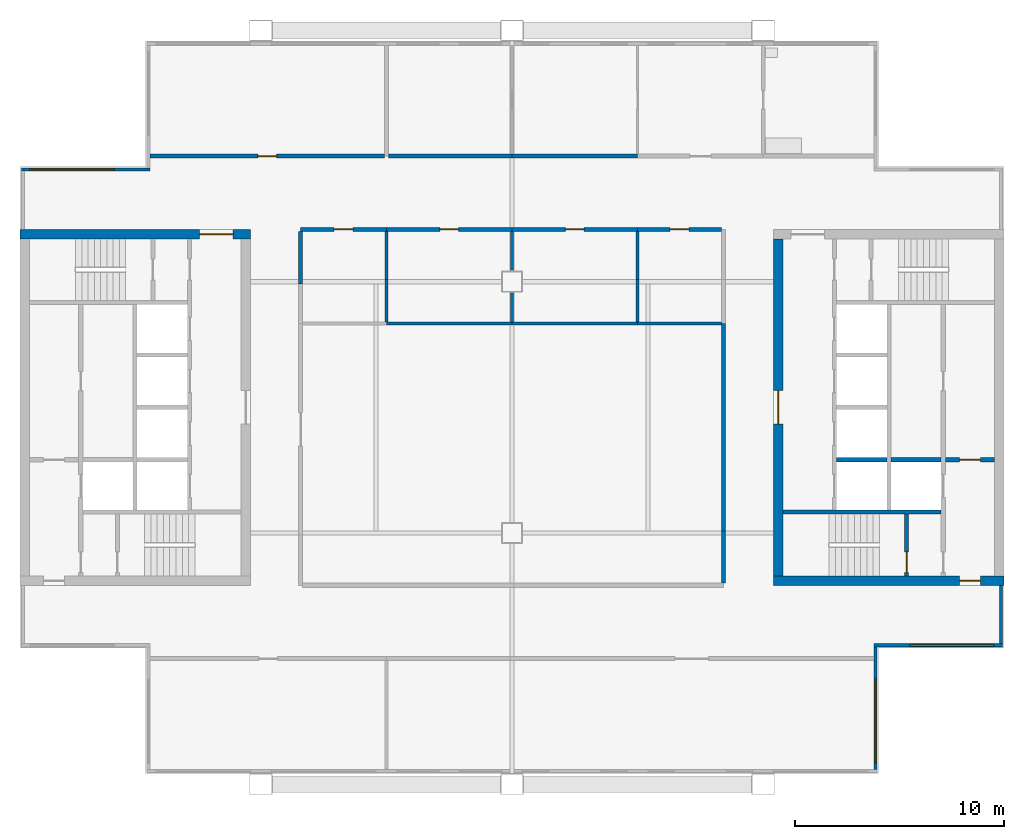
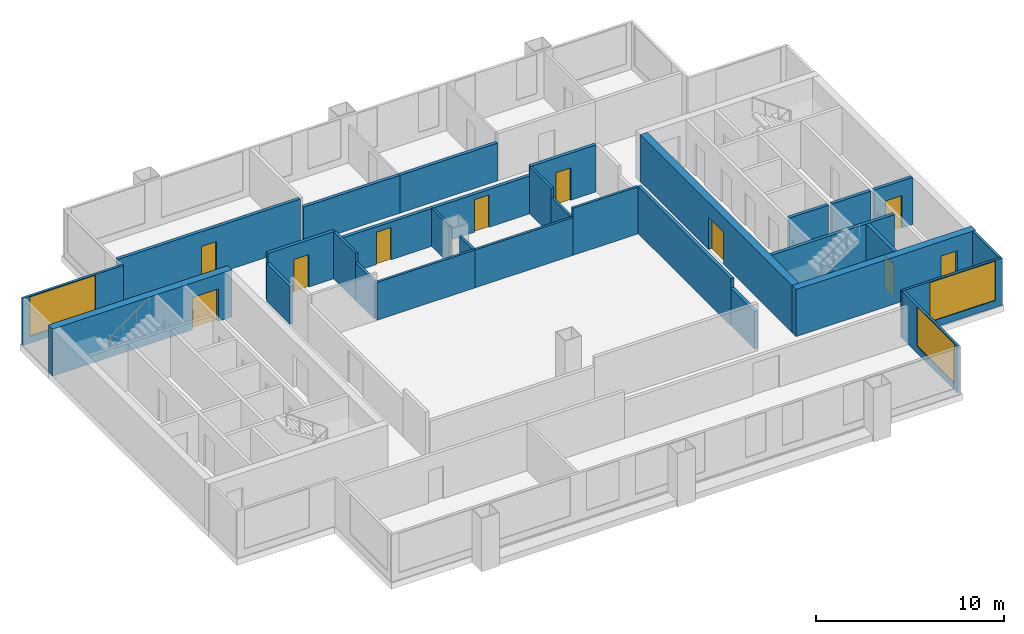
# One storey, part 3 of 7: 31 walls, 10 doors, 3 windows, 13 openings.
"""IFC4 building model written with IfcOpenShell, lengths in metres."""

from ifc_helpers import new_model, si_unit, direction, frame, frame_2d, origin, place, context, subcontext, project, spatial, rectangle, extrude, material, layer, layer_set, type_object, element, fill, save


model = new_model("IFC4")

# Units and contexts
model_context = context("Model", 3, precision=1e-05, world=origin(), true_north=direction((0.0, 1.0)))
body_context = subcontext(model_context, "Body", "Model", "MODEL_VIEW")
ifc_project = project(units=[si_unit("LENGTHUNIT", "METRE"), si_unit("AREAUNIT", "SQUARE_METRE"), si_unit("VOLUMEUNIT", "CUBIC_METRE"), si_unit("PLANEANGLEUNIT", "RADIAN"), si_unit("MASSUNIT", "GRAM", prefix="KILO")], contexts=[model_context])

# Site, building, storey
site_placement = place(None, origin())
site = spatial("IfcSite", under=ifc_project, at=site_placement, CompositionType="ELEMENT")
building_placement = place(site_placement, origin())
building = spatial("IfcBuilding", under=site, at=building_placement, Name="Kitamizu Gate Tower and Museum", CompositionType="ELEMENT")
storey_placement = place(building_placement, frame((0.0, 0.0, 242.10009765625)))
storey = spatial("IfcBuildingStorey", under=building, at=storey_placement, Name="L65", CompositionType="ELEMENT", Elevation=242.10009765625)

# Wall, opening, door
ifc_material_1 = material(Name="Concrete Fc42", Category="concrete")
ifc_layer_1 = layer(ifc_material_1, 0.449951171875)
ifc_layer_set_1 = layer_set([ifc_layer_1], Name="Concrete Fc42")
wall_type_1 = type_object("IfcWallType", Name="Core wall 450", PredefinedType="SHEAR", material=ifc_layer_set_1)
wall_1_placement = place(storey_placement, frame((12.5, 38.27490234375, 0.0), z_axis=(0.0, 0.0, 1.0), x_axis=(1.0, 0.0, 0.0)))
wall_1 = element("IfcWall", 1, at=wall_1_placement, inside=storey, type_object=wall_type_1, Name="Core wall WN", PredefinedType="SHEAR", context=body_context, shape_type="SweptSolid", body=[
    extrude(rectangle(XDim=11.0, YDim=0.449951171875, at=frame_2d((5.5, 0.0))), origin(), (0.0, 0.0, 1.0), 3.0498046875),
])
opening_1_placement = place(wall_1_placement, frame((8.574951171875, 0.0, 0.0)))
opening_1 = element("IfcOpeningElement", 2, at=opening_1_placement, cuts=wall_1, Name="Opening L65-019", PredefinedType="OPENING", context=body_context, shape_type="SweptSolid", body=[
    extrude(rectangle(XDim=1.60009765625, YDim=2.10009765625, at=frame_2d((0.800048828125, 1.050048828125))), frame((0.0, 0.23486328125, 0.0), z_axis=(0.0, -1.0, 0.0), x_axis=(1.0, 0.0, 0.0)), (0.0, 0.0, 1.0), 0.469970703125),
])
ifc_material_2 = material(Name="Timber door set", Category="wood")
door_type_1 = type_object("IfcDoorType", Name="Entrance door 1600", OperationType="DOUBLE_DOOR_SINGLE_SWING", PredefinedType="DOOR", material=ifc_material_2)
door_1_placement = place(opening_1_placement, origin())
door_1 = element("IfcDoor", 3, at=door_1_placement, inside=storey, type_object=door_type_1, Name="Lobby door L65-019", OperationType="DOUBLE_DOOR_SINGLE_SWING", OverallHeight=2.10009765625, OverallWidth=1.60009765625, PredefinedType="DOOR", context=body_context, shape_type="SweptSolid", body=[
    extrude(rectangle(XDim=1.60009765625, YDim=2.10009765625, at=frame_2d((0.800048828125, 1.050048828125))), frame((0.0, 0.02490234375, 0.0), z_axis=(0.0, -1.0, 0.0), x_axis=(1.0, 0.0, 0.0)), (0.0, 0.0, 1.0), 0.050048828125),
])
fill(opening_1, door_1)

wall_2_placement = place(storey_placement, frame((59.5, 21.72509765625, 0.0), z_axis=(0.0, 0.0, 1.0), x_axis=(-1.0, 0.0, 0.0)))
wall_2 = element("IfcWall", 4, at=wall_2_placement, inside=storey, type_object=wall_type_1, Name="Core wall ES", PredefinedType="SHEAR", context=body_context, shape_type="SweptSolid", body=[
    extrude(rectangle(XDim=11.0, YDim=0.449951171875, at=frame_2d((5.5, 0.0))), origin(), (0.0, 0.0, 1.0), 3.0498046875),
])
opening_2_placement = place(wall_2_placement, frame((1.125, 0.0, 0.0)))
opening_2 = element("IfcOpeningElement", 5, at=opening_2_placement, cuts=wall_2, Name="Opening L65-027", PredefinedType="OPENING", context=body_context, shape_type="SweptSolid", body=[
    extrude(rectangle(XDim=1.0, YDim=2.10009765625, at=frame_2d((0.5, 1.050048828125))), frame((0.0, 0.23486328125, 0.0), z_axis=(0.0, -1.0, 0.0), x_axis=(1.0, 0.0, 0.0)), (0.0, 0.0, 1.0), 0.469970703125),
])
ifc_material_3 = material(Name="Hollow metal door set")
door_type_2 = type_object("IfcDoorType", Name="Fire door 1000", OperationType="NOTDEFINED", PredefinedType="DOOR", material=ifc_material_3)
door_2_placement = place(opening_2_placement, frame((1.0, 0.0, 0.0), x_axis=(-1.0, 0.0, 0.0)))
door_2 = element("IfcDoor", 6, at=door_2_placement, inside=storey, type_object=door_type_2, Name="Fire-fighting lobby door L65-027", OperationType="SINGLE_SWING_LEFT", OverallHeight=2.10009765625, OverallWidth=1.0, PredefinedType="DOOR", context=body_context, shape_type="SweptSolid", body=[
    extrude(rectangle(XDim=1.0, YDim=2.10009765625, at=frame_2d((0.5, 1.050048828125))), frame((0.0, 0.02490234375, 0.0), z_axis=(0.0, -1.0, 0.0), x_axis=(1.0, 0.0, 0.0)), (0.0, 0.0, 1.0), 0.050048828125),
])
fill(opening_2, door_2)

wall_3_placement = place(storey_placement, frame((48.72509765625, 21.949951171875, 0.0), z_axis=(0.0, 0.0, 1.0), x_axis=(0.0, 1.0, 0.0)))
wall_3 = element("IfcWall", 7, at=wall_3_placement, inside=storey, type_object=wall_type_1, Name="Core wall EARC", PredefinedType="SHEAR", context=body_context, shape_type="SweptSolid", body=[
    extrude(rectangle(XDim=16.10009765625, YDim=0.449951171875, at=frame_2d((8.050048828125, 0.0))), origin(), (0.0, 0.0, 1.0), 3.0498046875),
])
opening_3_placement = place(wall_3_placement, frame((7.25, 0.0, 0.0)))
opening_3 = element("IfcOpeningElement", 8, at=opening_3_placement, cuts=wall_3, Name="Opening L65-029", PredefinedType="OPENING", context=body_context, shape_type="SweptSolid", body=[
    extrude(rectangle(XDim=1.60009765625, YDim=2.10009765625, at=frame_2d((0.800048828125, 1.050048828125))), frame((0.0, 0.23486328125, 0.0), z_axis=(0.0, -1.0, 0.0), x_axis=(1.0, 0.0, 0.0)), (0.0, 0.0, 1.0), 0.469970703125),
])
door_3_placement = place(opening_3_placement, origin())
door_3 = element("IfcDoor", 9, at=door_3_placement, inside=storey, type_object=door_type_1, Name="Lobby door L65-029", OperationType="DOUBLE_DOOR_SINGLE_SWING", OverallHeight=2.10009765625, OverallWidth=1.60009765625, PredefinedType="DOOR", context=body_context, shape_type="SweptSolid", body=[
    extrude(rectangle(XDim=1.60009765625, YDim=2.10009765625, at=frame_2d((0.800048828125, 1.050048828125))), frame((0.0, 0.02490234375, 0.0), z_axis=(0.0, -1.0, 0.0), x_axis=(1.0, 0.0, 0.0)), (0.0, 0.0, 1.0), 0.050048828125),
])
fill(opening_3, door_3)

# Walls
ifc_material_4 = material(Name="Gypsum board on galvanised stud")
ifc_layer_2 = layer(ifc_material_4, 0.14990234375)
ifc_layer_set_2 = layer_set([ifc_layer_2], Name="Gypsum board on galvanised stud")
wall_type_2 = type_object("IfcWallType", Name="Partition 150", PredefinedType="PARTITIONING", material=ifc_layer_set_2)
for number, where, z_axis, x_axis, name in (
    (10, (36.0, 34.0, 0.0), (0.0, 0.0, 1.0), (-1.0, 0.0, 0.0), "Partition L65-029"),
    (11, (42.0, 34.0, 0.0), (0.0, 0.0, 1.0), (-1.0, 0.0, 0.0), "Partition L65-030"),
):
    element("IfcWall", number, at=place(storey_placement, frame(where, z_axis=z_axis, x_axis=x_axis)), inside=storey, type_object=wall_type_2, Name=name, PredefinedType="PARTITIONING", context=body_context, shape_type="SweptSolid", body=[
        extrude(rectangle(XDim=6.0, YDim=0.14990234375, at=frame_2d((3.0, 0.0))), origin(), (0.0, 0.0, 1.0), 2.449951171875),
    ])
wall_4_placement = place(storey_placement, frame((46.0, 34.0, 0.0), z_axis=(0.0, 0.0, 1.0), x_axis=(-1.0, 0.0, 0.0)))
element("IfcWall", 12, at=wall_4_placement, inside=storey, type_object=wall_type_2, Name="Partition L65-031", PredefinedType="PARTITIONING", context=body_context, shape_type="SweptSolid", body=[
    extrude(rectangle(XDim=4.0, YDim=0.14990234375, at=frame_2d((2.0, 0.0))), origin(), (0.0, 0.0, 1.0), 3.0498046875),
])
wall_5_placement = place(storey_placement, frame((30.0, 34.074951171875, 0.0), z_axis=(0.0, 0.0, 1.0), x_axis=(0.0, 1.0, 0.0)))
element("IfcWall", 13, at=wall_5_placement, inside=storey, type_object=wall_type_2, Name="Partition L65-032", PredefinedType="PARTITIONING", context=body_context, shape_type="SweptSolid", body=[
    extrude(rectangle(XDim=2.025146484375, YDim=0.14990234375, at=frame_2d((1.0126953125, 0.0))), origin(), (0.0, 0.0, 1.0), 2.449951171875),
])
wall_6_placement = place(storey_placement, frame((30.0, 36.10009765625, 0.0), z_axis=(0.0, 0.0, 1.0), x_axis=(0.0, 1.0, 0.0)))
element("IfcWall", 14, at=wall_6_placement, inside=storey, type_object=wall_type_2, Name="Partition L65-033", PredefinedType="PARTITIONING", context=body_context, shape_type="SweptSolid", body=[
    extrude(rectangle(XDim=2.2998046875, YDim=0.14990234375, at=frame_2d((1.14990234375, 0.0))), origin(), (0.0, 0.0, 1.0), 3.0498046875),
])
wall_7_placement = place(storey_placement, frame((36.0, 34.074951171875, 0.0), z_axis=(0.0, 0.0, 1.0), x_axis=(0.0, 1.0, 0.0)))
element("IfcWall", 15, at=wall_7_placement, inside=storey, type_object=wall_type_2, Name="Partition L65-034", PredefinedType="PARTITIONING", context=body_context, shape_type="SweptSolid", body=[
    extrude(rectangle(XDim=1.375, YDim=0.14990234375, at=frame_2d((0.6875, 0.0))), origin(), (0.0, 0.0, 1.0), 2.449951171875),
])
wall_8_placement = place(storey_placement, frame((36.0, 36.550048828125, 0.0), z_axis=(0.0, 0.0, 1.0), x_axis=(0.0, 1.0, 0.0)))
element("IfcWall", 16, at=wall_8_placement, inside=storey, type_object=wall_type_2, Name="Partition L65-035", PredefinedType="PARTITIONING", context=body_context, shape_type="SweptSolid", body=[
    extrude(rectangle(XDim=1.849853515625, YDim=0.14990234375, at=frame_2d((0.9248046875, 0.0))), origin(), (0.0, 0.0, 1.0), 2.449951171875),
])
wall_9_placement = place(storey_placement, frame((42.0, 34.074951171875, 0.0), z_axis=(0.0, 0.0, 1.0), x_axis=(0.0, 1.0, 0.0)))
element("IfcWall", 17, at=wall_9_placement, inside=storey, type_object=wall_type_2, Name="Partition L65-036", PredefinedType="PARTITIONING", context=body_context, shape_type="SweptSolid", body=[
    extrude(rectangle(XDim=2.025146484375, YDim=0.14990234375, at=frame_2d((1.0126953125, 0.0))), origin(), (0.0, 0.0, 1.0), 2.449951171875),
])
wall_10_placement = place(storey_placement, frame((42.0, 36.10009765625, 0.0), z_axis=(0.0, 0.0, 1.0), x_axis=(0.0, 1.0, 0.0)))
element("IfcWall", 18, at=wall_10_placement, inside=storey, type_object=wall_type_2, Name="Partition L65-037", PredefinedType="PARTITIONING", context=body_context, shape_type="SweptSolid", body=[
    extrude(rectangle(XDim=2.2998046875, YDim=0.14990234375, at=frame_2d((1.14990234375, 0.0))), origin(), (0.0, 0.0, 1.0), 3.0498046875),
])

# Wall, opening, door
ifc_material_5 = material(Name="Gypsum board on galvanised stud")
ifc_layer_3 = layer(ifc_material_5, 0.199951171875)
ifc_layer_set_3 = layer_set([ifc_layer_3], Name="Gypsum board on galvanised stud")
wall_type_3 = type_object("IfcWallType", Name="Partition 200", PredefinedType="PARTITIONING", material=ifc_layer_set_3)
wall_11_placement = place(storey_placement, frame((18.719970703125, 42.0, 0.0), z_axis=(0.0, 0.0, 1.0), x_axis=(1.0, 0.0, 0.0)))
wall_11 = element("IfcWall", 19, at=wall_11_placement, inside=storey, type_object=wall_type_3, Name="Partition L65-002", PredefinedType="PARTITIONING", context=body_context, shape_type="SweptSolid", body=[
    extrude(rectangle(XDim=11.179931640625, YDim=0.199951171875, at=frame_2d((5.58984375, 0.0))), origin(), (0.0, 0.0, 1.0), 3.0498046875),
])
opening_4_placement = place(wall_11_placement, frame((5.139892578125, 0.0, 0.0)))
opening_4 = element("IfcOpeningElement", 20, at=opening_4_placement, cuts=wall_11, Name="Opening L65-005", PredefinedType="OPENING", context=body_context, shape_type="SweptSolid", body=[
    extrude(rectangle(XDim=0.89990234375, YDim=2.10009765625, at=frame_2d((0.449951171875, 1.050048828125))), frame((0.0, 0.10986328125, 0.0), z_axis=(0.0, -1.0, 0.0), x_axis=(1.0, 0.0, 0.0)), (0.0, 0.0, 1.0), 0.219970703125),
])
ifc_material_6 = material(Name="Timber door set", Category="wood")
door_type_3 = type_object("IfcDoorType", Name="Room door 900", OperationType="NOTDEFINED", PredefinedType="DOOR", material=ifc_material_6)
door_4_placement = place(opening_4_placement, origin())
door_4 = element("IfcDoor", 21, at=door_4_placement, inside=storey, type_object=door_type_3, Name="Door L65-005", OperationType="SINGLE_SWING_RIGHT", OverallHeight=2.10009765625, OverallWidth=0.89990234375, PredefinedType="DOOR", context=body_context, shape_type="SweptSolid", body=[
    extrude(rectangle(XDim=0.89990234375, YDim=2.10009765625, at=frame_2d((0.449951171875, 1.050048828125))), frame((0.0, 0.02490234375, 0.0), z_axis=(0.0, -1.0, 0.0), x_axis=(1.0, 0.0, 0.0)), (0.0, 0.0, 1.0), 0.050048828125),
])
fill(opening_4, door_4)

# Walls
wall_12_placement = place(storey_placement, frame((30.10009765625, 42.0, 0.0), z_axis=(0.0, 0.0, 1.0), x_axis=(1.0, 0.0, 0.0)))
element("IfcWall", 22, at=wall_12_placement, inside=storey, type_object=wall_type_3, Name="Partition L65-004", PredefinedType="PARTITIONING", context=body_context, shape_type="SweptSolid", body=[
    extrude(rectangle(XDim=5.89990234375, YDim=0.199951171875, at=frame_2d((2.949951171875, 0.0))), origin(), (0.0, 0.0, 1.0), 2.449951171875),
])
wall_13_placement = place(storey_placement, frame((36.0, 42.0, 0.0), z_axis=(0.0, 0.0, 1.0), x_axis=(1.0, 0.0, 0.0)))
element("IfcWall", 23, at=wall_13_placement, inside=storey, type_object=wall_type_3, Name="Partition L65-006", PredefinedType="PARTITIONING", context=body_context, shape_type="SweptSolid", body=[
    extrude(rectangle(XDim=6.0, YDim=0.199951171875, at=frame_2d((3.0, 0.0))), origin(), (0.0, 0.0, 1.0), 2.449951171875),
])
wall_14_placement = place(storey_placement, frame((46.10009765625, 21.60009765625, 0.0), z_axis=(0.0, 0.0, 1.0), x_axis=(0.0, 1.0, 0.0)))
element("IfcWall", 24, at=wall_14_placement, inside=storey, type_object=wall_type_3, Name="Partition L65-018", PredefinedType="PARTITIONING", context=body_context, shape_type="SweptSolid", body=[
    extrude(rectangle(XDim=2.5, YDim=0.199951171875, at=frame_2d((1.25, 0.0))), origin(), (0.0, 0.0, 1.0), 2.449951171875),
])
wall_15_placement = place(storey_placement, frame((46.10009765625, 24.10009765625, 0.0), z_axis=(0.0, 0.0, 1.0), x_axis=(0.0, 1.0, 0.0)))
element("IfcWall", 25, at=wall_15_placement, inside=storey, type_object=wall_type_3, Name="Partition L65-019", PredefinedType="PARTITIONING", context=body_context, shape_type="SweptSolid", body=[
    extrude(rectangle(XDim=9.89990234375, YDim=0.199951171875, at=frame_2d((4.949951171875, 0.0))), origin(), (0.0, 0.0, 1.0), 3.0498046875),
])

# Wall, opening, door
wall_16_placement = place(storey_placement, frame((30.0, 38.5, 0.0), z_axis=(0.0, 0.0, 1.0), x_axis=(-1.0, 0.0, 0.0)))
wall_16 = element("IfcWall", 26, at=wall_16_placement, inside=storey, type_object=wall_type_3, Name="Partition L65-020", PredefinedType="PARTITIONING", context=body_context, shape_type="SweptSolid", body=[
    extrude(rectangle(XDim=4.10009765625, YDim=0.199951171875, at=frame_2d((2.050048828125, 0.0))), origin(), (0.0, 0.0, 1.0), 3.0498046875),
])
opening_5_placement = place(wall_16_placement, frame((1.60009765625, 0.0, 0.0)))
opening_5 = element("IfcOpeningElement", 27, at=opening_5_placement, cuts=wall_16, Name="Opening L65-009", PredefinedType="OPENING", context=body_context, shape_type="SweptSolid", body=[
    extrude(rectangle(XDim=0.89990234375, YDim=2.10009765625, at=frame_2d((0.449951171875, 1.050048828125))), frame((0.0, 0.10986328125, 0.0), z_axis=(0.0, -1.0, 0.0), x_axis=(1.0, 0.0, 0.0)), (0.0, 0.0, 1.0), 0.219970703125),
])
door_5_placement = place(opening_5_placement, origin())
door_5 = element("IfcDoor", 28, at=door_5_placement, inside=storey, type_object=door_type_3, Name="Door L65-009", OperationType="SINGLE_SWING_RIGHT", OverallHeight=2.10009765625, OverallWidth=0.89990234375, PredefinedType="DOOR", context=body_context, shape_type="SweptSolid", body=[
    extrude(rectangle(XDim=0.89990234375, YDim=2.10009765625, at=frame_2d((0.449951171875, 1.050048828125))), frame((0.0, 0.02490234375, 0.0), z_axis=(0.0, -1.0, 0.0), x_axis=(1.0, 0.0, 0.0)), (0.0, 0.0, 1.0), 0.050048828125),
])
fill(opening_5, door_5)

# Wall
wall_17_placement = place(storey_placement, frame((25.89990234375, 38.39990234375, 0.0), z_axis=(0.0, 0.0, 1.0), x_axis=(0.0, -1.0, 0.0)))
element("IfcWall", 29, at=wall_17_placement, inside=storey, type_object=wall_type_3, Name="Partition L65-021", PredefinedType="PARTITIONING", context=body_context, shape_type="SweptSolid", body=[
    extrude(rectangle(XDim=2.5, YDim=0.199951171875, at=frame_2d((1.25, 0.0))), origin(), (0.0, 0.0, 1.0), 2.449951171875),
])

# Wall, opening, door
wall_18_placement = place(storey_placement, frame((36.0, 38.5, 0.0), z_axis=(0.0, 0.0, 1.0), x_axis=(-1.0, 0.0, 0.0)))
wall_18 = element("IfcWall", 30, at=wall_18_placement, inside=storey, type_object=wall_type_3, Name="Partition L65-023", PredefinedType="PARTITIONING", context=body_context, shape_type="SweptSolid", body=[
    extrude(rectangle(XDim=6.0, YDim=0.199951171875, at=frame_2d((3.0, 0.0))), origin(), (0.0, 0.0, 1.0), 2.449951171875),
])
opening_6_placement = place(wall_18_placement, frame((2.550048828125, 0.0, 0.0)))
opening_6 = element("IfcOpeningElement", 31, at=opening_6_placement, cuts=wall_18, Name="Opening L65-010", PredefinedType="OPENING", context=body_context, shape_type="SweptSolid", body=[
    extrude(rectangle(XDim=0.89990234375, YDim=2.10009765625, at=frame_2d((0.449951171875, 1.050048828125))), frame((0.0, 0.10986328125, 0.0), z_axis=(0.0, -1.0, 0.0), x_axis=(1.0, 0.0, 0.0)), (0.0, 0.0, 1.0), 0.219970703125),
])
door_6_placement = place(opening_6_placement, origin())
door_6 = element("IfcDoor", 32, at=door_6_placement, inside=storey, type_object=door_type_3, Name="Door L65-010", OperationType="SINGLE_SWING_LEFT", OverallHeight=2.10009765625, OverallWidth=0.89990234375, PredefinedType="DOOR", context=body_context, shape_type="SweptSolid", body=[
    extrude(rectangle(XDim=0.89990234375, YDim=2.10009765625, at=frame_2d((0.449951171875, 1.050048828125))), frame((0.0, 0.02490234375, 0.0), z_axis=(0.0, -1.0, 0.0), x_axis=(1.0, 0.0, 0.0)), (0.0, 0.0, 1.0), 0.050048828125),
])
fill(opening_6, door_6)

wall_19_placement = place(storey_placement, frame((42.0, 38.5, 0.0), z_axis=(0.0, 0.0, 1.0), x_axis=(-1.0, 0.0, 0.0)))
wall_19 = element("IfcWall", 33, at=wall_19_placement, inside=storey, type_object=wall_type_3, Name="Partition L65-024", PredefinedType="PARTITIONING", context=body_context, shape_type="SweptSolid", body=[
    extrude(rectangle(XDim=6.0, YDim=0.199951171875, at=frame_2d((3.0, 0.0))), origin(), (0.0, 0.0, 1.0), 2.449951171875),
])
opening_7_placement = place(wall_19_placement, frame((2.550048828125, 0.0, 0.0)))
opening_7 = element("IfcOpeningElement", 34, at=opening_7_placement, cuts=wall_19, Name="Opening L65-011", PredefinedType="OPENING", context=body_context, shape_type="SweptSolid", body=[
    extrude(rectangle(XDim=0.89990234375, YDim=2.10009765625, at=frame_2d((0.449951171875, 1.050048828125))), frame((0.0, 0.10986328125, 0.0), z_axis=(0.0, -1.0, 0.0), x_axis=(1.0, 0.0, 0.0)), (0.0, 0.0, 1.0), 0.219970703125),
])
door_7_placement = place(opening_7_placement, origin())
door_7 = element("IfcDoor", 35, at=door_7_placement, inside=storey, type_object=door_type_3, Name="Door L65-011", OperationType="SINGLE_SWING_RIGHT", OverallHeight=2.10009765625, OverallWidth=0.89990234375, PredefinedType="DOOR", context=body_context, shape_type="SweptSolid", body=[
    extrude(rectangle(XDim=0.89990234375, YDim=2.10009765625, at=frame_2d((0.449951171875, 1.050048828125))), frame((0.0, 0.02490234375, 0.0), z_axis=(0.0, -1.0, 0.0), x_axis=(1.0, 0.0, 0.0)), (0.0, 0.0, 1.0), 0.050048828125),
])
fill(opening_7, door_7)

wall_20_placement = place(storey_placement, frame((46.0, 38.5, 0.0), z_axis=(0.0, 0.0, 1.0), x_axis=(-1.0, 0.0, 0.0)))
wall_20 = element("IfcWall", 36, at=wall_20_placement, inside=storey, type_object=wall_type_3, Name="Partition L65-027", PredefinedType="PARTITIONING", context=body_context, shape_type="SweptSolid", body=[
    extrude(rectangle(XDim=4.0, YDim=0.199951171875, at=frame_2d((2.0, 0.0))), origin(), (0.0, 0.0, 1.0), 3.0498046875),
])
opening_8_placement = place(wall_20_placement, frame((1.550048828125, 0.0, 0.0)))
opening_8 = element("IfcOpeningElement", 37, at=opening_8_placement, cuts=wall_20, Name="Opening L65-012", PredefinedType="OPENING", context=body_context, shape_type="SweptSolid", body=[
    extrude(rectangle(XDim=0.89990234375, YDim=2.10009765625, at=frame_2d((0.449951171875, 1.050048828125))), frame((0.0, 0.10986328125, 0.0), z_axis=(0.0, -1.0, 0.0), x_axis=(1.0, 0.0, 0.0)), (0.0, 0.0, 1.0), 0.219970703125),
])
door_8_placement = place(opening_8_placement, origin())
door_8 = element("IfcDoor", 38, at=door_8_placement, inside=storey, type_object=door_type_3, Name="Door L65-012", OperationType="SINGLE_SWING_LEFT", OverallHeight=2.10009765625, OverallWidth=0.89990234375, PredefinedType="DOOR", context=body_context, shape_type="SweptSolid", body=[
    extrude(rectangle(XDim=0.89990234375, YDim=2.10009765625, at=frame_2d((0.449951171875, 1.050048828125))), frame((0.0, 0.02490234375, 0.0), z_axis=(0.0, -1.0, 0.0), x_axis=(1.0, 0.0, 0.0)), (0.0, 0.0, 1.0), 0.050048828125),
])
fill(opening_8, door_8)

# Wall
ifc_material_7 = material(Name="Concrete Fc42", Category="concrete")
ifc_layer_4 = layer(ifc_material_7, 0.199951171875)
ifc_layer_set_4 = layer_set([ifc_layer_4], Name="Concrete Fc42")
wall_type_4 = type_object("IfcWallType", Name="Shaft wall 200", PredefinedType="SOLIDWALL", material=ifc_layer_set_4)
wall_21_placement = place(storey_placement, frame((56.5, 25.0, 0.0), z_axis=(0.0, 0.0, 1.0), x_axis=(-1.0, 0.0, 0.0)))
element("IfcWall", 39, at=wall_21_placement, inside=storey, type_object=wall_type_4, Name="Shaft wall ESB", PredefinedType="SOLIDWALL", context=body_context, shape_type="SweptSolid", body=[
    extrude(rectangle(XDim=7.550048828125, YDim=0.199951171875, at=frame_2d((3.77490234375, 0.0))), origin(), (0.0, 0.0, 1.0), 3.0498046875),
])

# Wall, opening, door
wall_22_placement = place(storey_placement, frame((59.050048828125, 27.5, 0.0), z_axis=(0.0, 0.0, 1.0), x_axis=(-1.0, 0.0, 0.0)))
wall_22 = element("IfcWall", 40, at=wall_22_placement, inside=storey, type_object=wall_type_4, Name="Shaft wall EFFN", PredefinedType="SOLIDWALL", context=body_context, shape_type="SweptSolid", body=[
    extrude(rectangle(XDim=2.35009765625, YDim=0.199951171875, at=frame_2d((1.175048828125, 0.0))), origin(), (0.0, 0.0, 1.0), 3.0498046875),
])
opening_9_placement = place(wall_22_placement, frame((0.675048828125, 0.0, 0.0)))
opening_9 = element("IfcOpeningElement", 41, at=opening_9_placement, cuts=wall_22, Name="Opening L65-026", PredefinedType="OPENING", context=body_context, shape_type="SweptSolid", body=[
    extrude(rectangle(XDim=1.0, YDim=2.10009765625, at=frame_2d((0.5, 1.050048828125))), frame((0.0, 0.10986328125, 0.0), z_axis=(0.0, -1.0, 0.0), x_axis=(1.0, 0.0, 0.0)), (0.0, 0.0, 1.0), 0.219970703125),
])
door_9_placement = place(opening_9_placement, origin())
door_9 = element("IfcDoor", 42, at=door_9_placement, inside=storey, type_object=door_type_2, Name="Fire-fighting lobby door L65-026", OperationType="SINGLE_SWING_LEFT", OverallHeight=2.10009765625, OverallWidth=1.0, PredefinedType="DOOR", context=body_context, shape_type="SweptSolid", body=[
    extrude(rectangle(XDim=1.0, YDim=2.10009765625, at=frame_2d((0.5, 1.050048828125))), frame((0.0, 0.02490234375, 0.0), z_axis=(0.0, -1.0, 0.0), x_axis=(1.0, 0.0, 0.0)), (0.0, 0.0, 1.0), 0.050048828125),
])
fill(opening_9, door_9)

wall_23_placement = place(storey_placement, frame((54.85009765625, 21.949951171875, 0.0), z_axis=(0.0, 0.0, 1.0), x_axis=(0.0, 1.0, 0.0)))
wall_23 = element("IfcWall", 43, at=wall_23_placement, inside=storey, type_object=wall_type_4, Name="Shaft wall ESZ", PredefinedType="SOLIDWALL", context=body_context, shape_type="SweptSolid", body=[
    extrude(rectangle(XDim=2.949951171875, YDim=0.199951171875, at=frame_2d((1.47509765625, 0.0))), origin(), (0.0, 0.0, 1.0), 3.0498046875),
])
opening_10_placement = place(wall_23_placement, frame((0.14990234375, 0.0, 0.0)))
opening_10 = element("IfcOpeningElement", 44, at=opening_10_placement, cuts=wall_23, Name="Opening L65-022", PredefinedType="OPENING", context=body_context, shape_type="SweptSolid", body=[
    extrude(rectangle(XDim=1.0, YDim=2.10009765625, at=frame_2d((0.5, 1.050048828125))), frame((0.0, 0.10986328125, 0.0), z_axis=(0.0, -1.0, 0.0), x_axis=(1.0, 0.0, 0.0)), (0.0, 0.0, 1.0), 0.219970703125),
])
door_10_placement = place(opening_10_placement, origin())
door_10 = element("IfcDoor", 45, at=door_10_placement, inside=storey, type_object=door_type_2, Name="Stair door L65-022", OperationType="SINGLE_SWING_RIGHT", OverallHeight=2.10009765625, OverallWidth=1.0, PredefinedType="DOOR", context=body_context, shape_type="SweptSolid", body=[
    extrude(rectangle(XDim=1.0, YDim=2.10009765625, at=frame_2d((0.5, 1.050048828125))), frame((0.0, 0.02490234375, 0.0), z_axis=(0.0, -1.0, 0.0), x_axis=(1.0, 0.0, 0.0)), (0.0, 0.0, 1.0), 0.050048828125),
])
fill(opening_10, door_10)

# Walls
for number, where, z_axis, x_axis, name in (
    (46, (56.5, 27.5, 0.0), (0.0, 0.0, 1.0), (-1.0, 0.0, 0.0), "Shaft wall EDVW0"),
    (47, (53.89990234375, 27.5, 0.0), (0.0, 0.0, 1.0), (-1.0, 0.0, 0.0), "Shaft wall EDVE0"),
):
    element("IfcWall", number, at=place(storey_placement, frame(where, z_axis=z_axis, x_axis=x_axis)), inside=storey, type_object=wall_type_4, Name=name, PredefinedType="SOLIDWALL", context=body_context, shape_type="SweptSolid", body=[
        extrude(rectangle(XDim=2.39990234375, YDim=0.199951171875, at=frame_2d((1.199951171875, 0.0))), origin(), (0.0, 0.0, 1.0), 3.0498046875),
    ])

# Wall, opening, window
ifc_material_8 = material(Name="Bronze anodised aluminium frame with insulated spandrel and tinted glass", Category="aluminium")
ifc_layer_5 = layer(ifc_material_8, 0.14990234375)
ifc_layer_set_5 = layer_set([ifc_layer_5], Name="Bronze anodised aluminium frame with insulated spandrel and tinted glass")
wall_type_5 = type_object("IfcWallType", Name="WINDOW WALL 150 BRONZE FRAME EI 30", PredefinedType="ELEMENTEDWALL", material=ifc_layer_set_5)
wall_24_placement = place(storey_placement, frame((53.364990234375, 12.7099609375, 0.0), z_axis=(0.0, 0.0, 1.0), x_axis=(0.0, 1.0, 0.0)))
wall_24 = element("IfcWall", 48, at=wall_24_placement, inside=storey, type_object=wall_type_5, Name="Window wall east L65", PredefinedType="ELEMENTEDWALL", context=body_context, shape_type="SweptSolid", body=[
    extrude(rectangle(XDim=5.85009765625, YDim=0.14990234375, at=frame_2d((2.925048828125, 0.0))), origin(), (0.0, 0.0, 1.0), 3.0498046875),
])
opening_11_placement = place(wall_24_placement, frame((0.2900390625, 0.0, 0.449951171875)))
opening_11 = element("IfcOpeningElement", 49, at=opening_11_placement, cuts=wall_24, Name="Opening W16", PredefinedType="OPENING", context=body_context, shape_type="SweptSolid", body=[
    extrude(rectangle(XDim=4.0, YDim=2.550048828125, at=frame_2d((2.0, 1.27490234375))), frame((0.0, 0.0849609375, 0.0), z_axis=(0.0, -1.0, 0.0), x_axis=(1.0, 0.0, 0.0)), (0.0, 0.0, 1.0), 0.169921875),
])
ifc_material_9 = material(Name="Bronze anodised aluminium frame, tinted triple glazing", Category="aluminium")
window_type = type_object("IfcWindowType", Name="WINDOW 4000 x 2550 SILL 450", PartitioningType="SINGLE_PANEL", PredefinedType="WINDOW", material=ifc_material_9)
window_1_placement = place(opening_11_placement, origin())
window_1 = element("IfcWindow", 50, at=window_1_placement, inside=storey, type_object=window_type, Name="Window W16 L65", OverallHeight=2.550048828125, OverallWidth=4.0, PartitioningType="SINGLE_PANEL", PredefinedType="WINDOW", context=body_context, shape_type="SweptSolid", body=[
    extrude(rectangle(XDim=4.0, YDim=2.550048828125, at=frame_2d((2.0, 1.27490234375))), frame((0.0, 0.030029296875, 0.0), z_axis=(0.0, -1.0, 0.0), x_axis=(1.0, 0.0, 0.0)), (0.0, 0.0, 1.0), 0.06005859375),
])
fill(opening_11, window_1)

wall_25_placement = place(storey_placement, frame((53.2900390625, 18.635009765625, 0.0), z_axis=(0.0, 0.0, 1.0), x_axis=(1.0, 0.0, 0.0)))
wall_25 = element("IfcWall", 51, at=wall_25_placement, inside=storey, type_object=wall_type_5, Name="Window wall south L65", PredefinedType="ELEMENTEDWALL", context=body_context, shape_type="SweptSolid", body=[
    extrude(rectangle(XDim=6.14990234375, YDim=0.14990234375, at=frame_2d((3.074951171875, 0.0))), origin(), (0.0, 0.0, 1.0), 3.0498046875),
])
opening_12_placement = place(wall_25_placement, frame((1.7099609375, 0.0, 0.449951171875)))
opening_12 = element("IfcOpeningElement", 52, at=opening_12_placement, cuts=wall_25, Name="Opening W16", PredefinedType="OPENING", context=body_context, shape_type="SweptSolid", body=[
    extrude(rectangle(XDim=4.0, YDim=2.550048828125, at=frame_2d((2.0, 1.27490234375))), frame((0.0, 0.0849609375, 0.0), z_axis=(0.0, -1.0, 0.0), x_axis=(1.0, 0.0, 0.0)), (0.0, 0.0, 1.0), 0.169921875),
])
window_2_placement = place(opening_12_placement, origin())
window_2 = element("IfcWindow", 53, at=window_2_placement, inside=storey, type_object=window_type, Name="Window W16 L65", OverallHeight=2.550048828125, OverallWidth=4.0, PartitioningType="SINGLE_PANEL", PredefinedType="WINDOW", context=body_context, shape_type="SweptSolid", body=[
    extrude(rectangle(XDim=4.0, YDim=2.550048828125, at=frame_2d((2.0, 1.27490234375))), frame((0.0, 0.030029296875, 0.0), z_axis=(0.0, -1.0, 0.0), x_axis=(1.0, 0.0, 0.0)), (0.0, 0.0, 1.0), 0.06005859375),
])
fill(opening_12, window_2)

# Wall
wall_26_placement = place(storey_placement, frame((59.364990234375, 18.7099609375, 0.0), z_axis=(0.0, 0.0, 1.0), x_axis=(0.0, 1.0, 0.0)))
element("IfcWall", 54, at=wall_26_placement, inside=storey, type_object=wall_type_5, Name="Window wall east L65", PredefinedType="ELEMENTEDWALL", context=body_context, shape_type="SweptSolid", body=[
    extrude(rectangle(XDim=2.7900390625, YDim=0.14990234375, at=frame_2d((1.39501953125, 0.0))), origin(), (0.0, 0.0, 1.0), 3.0498046875),
])

# Wall, opening, window
wall_27_placement = place(storey_placement, frame((12.56005859375, 41.364990234375, 0.0), z_axis=(0.0, 0.0, 1.0), x_axis=(1.0, 0.0, 0.0)))
wall_27 = element("IfcWall", 55, at=wall_27_placement, inside=storey, type_object=wall_type_5, Name="Window wall north L65", PredefinedType="ELEMENTEDWALL", context=body_context, shape_type="SweptSolid", body=[
    extrude(rectangle(XDim=6.14990234375, YDim=0.14990234375, at=frame_2d((3.074951171875, 0.0))), origin(), (0.0, 0.0, 1.0), 3.0498046875),
])
opening_13_placement = place(wall_27_placement, frame((0.43994140625, 0.0, 0.449951171875)))
opening_13 = element("IfcOpeningElement", 56, at=opening_13_placement, cuts=wall_27, Name="Opening W16", PredefinedType="OPENING", context=body_context, shape_type="SweptSolid", body=[
    extrude(rectangle(XDim=4.0, YDim=2.550048828125, at=frame_2d((2.0, 1.27490234375))), frame((0.0, 0.0849609375, 0.0), z_axis=(0.0, -1.0, 0.0), x_axis=(1.0, 0.0, 0.0)), (0.0, 0.0, 1.0), 0.169921875),
])
window_3_placement = place(opening_13_placement, origin())
window_3 = element("IfcWindow", 57, at=window_3_placement, inside=storey, type_object=window_type, Name="Window W16 L65", OverallHeight=2.550048828125, OverallWidth=4.0, PartitioningType="SINGLE_PANEL", PredefinedType="WINDOW", context=body_context, shape_type="SweptSolid", body=[
    extrude(rectangle(XDim=4.0, YDim=2.550048828125, at=frame_2d((2.0, 1.27490234375))), frame((0.0, 0.030029296875, 0.0), z_axis=(0.0, -1.0, 0.0), x_axis=(1.0, 0.0, 0.0)), (0.0, 0.0, 1.0), 0.06005859375),
])
fill(opening_13, window_3)

save(model, "model.ifc")
